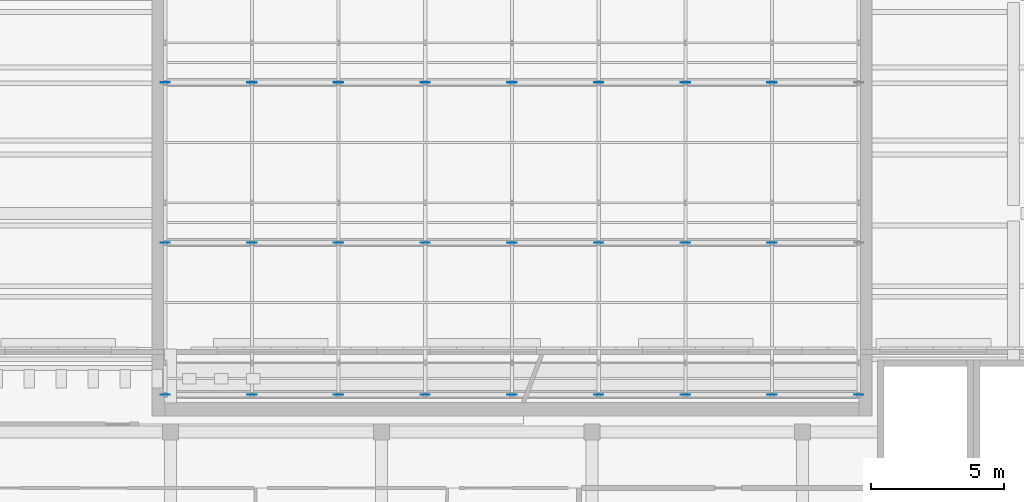
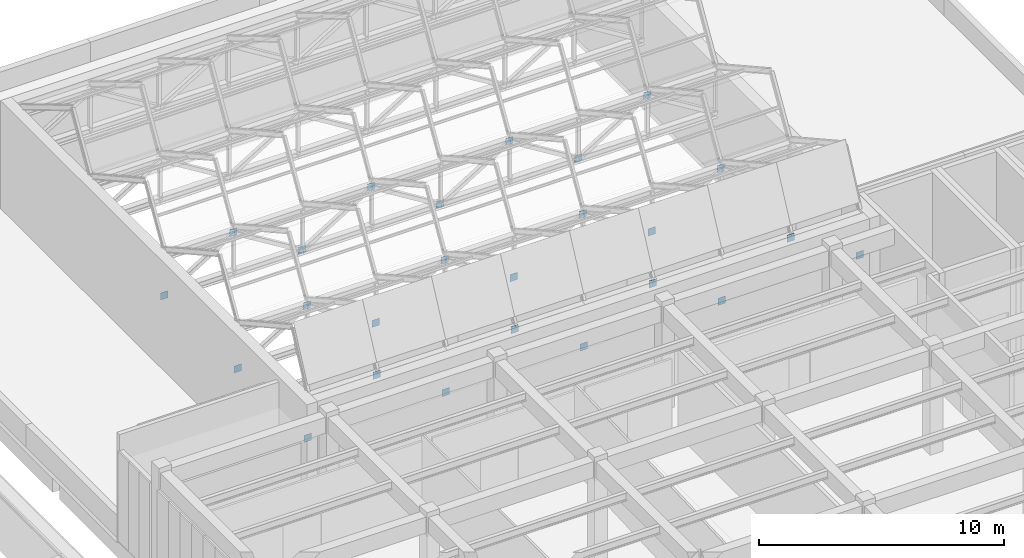
# One storey, part 99 of 132: 25 discrete accessories.
"""IFC4 building model written with IfcOpenShell, lengths in metres."""

from ifc_helpers import new_model, si_unit, direction, frame, origin, origin_2d, place, context, subcontext, project, spatial, rectangle, extrude, material, layer, layer_set, type_object, element, save


model = new_model("IFC4")

# Units and contexts
model_context = context("Model", 3, precision=1e-05, world=origin(), true_north=direction((0.0, 1.0)))
body_context = subcontext(model_context, "Body", "Model", "MODEL_VIEW")
ifc_project = project(units=[si_unit("LENGTHUNIT", "METRE"), si_unit("AREAUNIT", "SQUARE_METRE"), si_unit("VOLUMEUNIT", "CUBIC_METRE"), si_unit("PLANEANGLEUNIT", "RADIAN"), si_unit("MASSUNIT", "GRAM", prefix="KILO")], contexts=[model_context])

# Site, building, storey
site_placement = place(None, origin())
site = spatial("IfcSite", under=ifc_project, at=site_placement, CompositionType="ELEMENT")
building_placement = place(site_placement, origin())
building = spatial("IfcBuilding", under=site, at=building_placement, Name="Lunette Opera House", CompositionType="ELEMENT")
storey_placement = place(building_placement, frame((0.0, 0.0, 17.0)))
storey = spatial("IfcBuildingStorey", under=building, at=storey_placement, Name="L03", CompositionType="ELEMENT", Elevation=17.0)

# Discrete accessories
ifc_material = material(Name="Steel S355", Category="steel")
ifc_layer = layer(ifc_material, 0.011962890625)
ifc_layer_set = layer_set([ifc_layer], Name="Steel S355")
discrete_accessory_type = type_object("IfcDiscreteAccessoryType", Name="BRACE GUSSET PLATE 12", PredefinedType="USERDEFINED", material=ifc_layer_set)
for number, where, z_axis, x_axis, name in (
    (1, (144.0, 104.300048828125, 3.030029296875), (0.0, 0.0, 1.0), (1.0, 0.0, 0.0), "Gusset plate 267"),
    (2, (147.25, 104.300048828125, 5.030029296875), (0.0, 0.0, 1.0), (1.0, 0.0, 0.0), "Gusset plate 268"),
    (3, (150.5, 104.300048828125, 3.030029296875), (0.0, 0.0, 1.0), (1.0, 0.0, 0.0), "Gusset plate 269"),
    (4, (153.75, 104.300048828125, 5.030029296875), (0.0, 0.0, 1.0), (1.0, 0.0, 0.0), "Gusset plate 270"),
    (5, (157.0, 104.300048828125, 3.030029296875), (0.0, 0.0, 1.0), (1.0, 0.0, 0.0), "Gusset plate 271"),
    (6, (160.25, 104.300048828125, 5.030029296875), (0.0, 0.0, 1.0), (1.0, 0.0, 0.0), "Gusset plate 272"),
    (7, (163.5, 104.300048828125, 3.030029296875), (0.0, 0.0, 1.0), (1.0, 0.0, 0.0), "Gusset plate 273"),
    (8, (166.75, 104.300048828125, 5.030029296875), (0.0, 0.0, 1.0), (1.0, 0.0, 0.0), "Gusset plate 274"),
    (9, (170.0, 104.300048828125, 3.030029296875), (0.0, 0.0, 1.0), (1.0, 0.0, 0.0), "Gusset plate 275"),
    (10, (144.0, 110.0, 3.030029296875), (0.0, 0.0, 1.0), (1.0, 0.0, 0.0), "Gusset plate 276"),
    (11, (147.25, 110.0, 5.030029296875), (0.0, 0.0, 1.0), (1.0, 0.0, 0.0), "Gusset plate 277"),
    (12, (150.5, 110.0, 3.030029296875), (0.0, 0.0, 1.0), (1.0, 0.0, 0.0), "Gusset plate 278"),
    (13, (153.75, 110.0, 5.030029296875), (0.0, 0.0, 1.0), (1.0, 0.0, 0.0), "Gusset plate 279"),
    (14, (157.0, 110.0, 3.030029296875), (0.0, 0.0, 1.0), (1.0, 0.0, 0.0), "Gusset plate 280"),
    (15, (160.25, 110.0, 5.030029296875), (0.0, 0.0, 1.0), (1.0, 0.0, 0.0), "Gusset plate 281"),
    (16, (163.5, 110.0, 3.030029296875), (0.0, 0.0, 1.0), (1.0, 0.0, 0.0), "Gusset plate 282"),
    (17, (166.75, 110.0, 5.030029296875), (0.0, 0.0, 1.0), (1.0, 0.0, 0.0), "Gusset plate 283"),
    (18, (144.0, 116.0, 3.030029296875), (0.0, 0.0, 1.0), (1.0, 0.0, 0.0), "Gusset plate 285"),
    (19, (147.25, 116.0, 5.030029296875), (0.0, 0.0, 1.0), (1.0, 0.0, 0.0), "Gusset plate 286"),
    (20, (150.5, 116.0, 3.030029296875), (0.0, 0.0, 1.0), (1.0, 0.0, 0.0), "Gusset plate 287"),
    (21, (153.75, 116.0, 5.030029296875), (0.0, 0.0, 1.0), (1.0, 0.0, 0.0), "Gusset plate 288"),
    (22, (157.0, 116.0, 3.030029296875), (0.0, 0.0, 1.0), (1.0, 0.0, 0.0), "Gusset plate 289"),
    (23, (160.25, 116.0, 5.030029296875), (0.0, 0.0, 1.0), (1.0, 0.0, 0.0), "Gusset plate 290"),
    (24, (163.5, 116.0, 3.030029296875), (0.0, 0.0, 1.0), (1.0, 0.0, 0.0), "Gusset plate 291"),
    (25, (166.75, 116.0, 5.030029296875), (0.0, 0.0, 1.0), (1.0, 0.0, 0.0), "Gusset plate 292"),
):
    element("IfcDiscreteAccessory", number, at=place(storey_placement, frame(where, z_axis=z_axis, x_axis=x_axis)), inside=storey, type_object=discrete_accessory_type, Name=name, ObjectType="GUSSET PLATE", PredefinedType="USERDEFINED", context=body_context, shape_type="SweptSolid", body=[
        extrude(rectangle(XDim=0.35009765625, YDim=0.011962890625, at=origin_2d()), origin(), (0.0, 0.0, 1.0), 0.35009765625),
    ])

save(model, "model.ifc")
